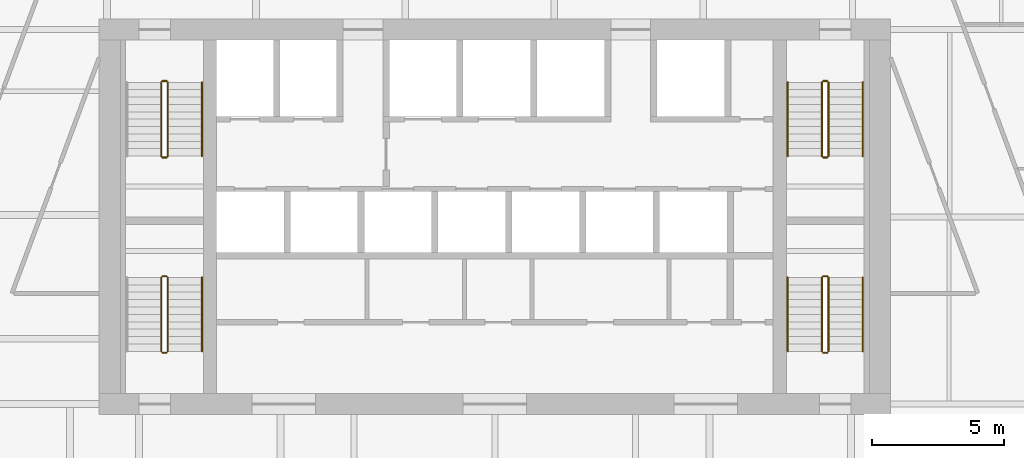
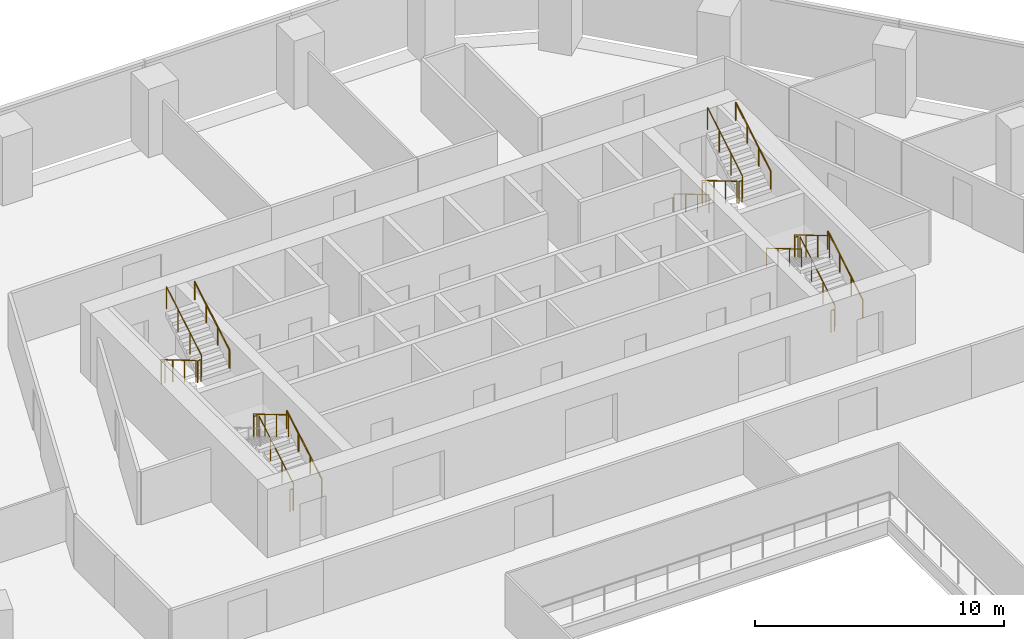
# One storey, part 16 of 17: 22 railings.
"""IFC4 building model written with IfcOpenShell, lengths in metres."""

from ifc_helpers import new_model, si_unit, direction, frame, origin, origin_2d, place, context, subcontext, project, spatial, circle, extrude, material, type_object, element, save


model = new_model("IFC4")

# Units and contexts
model_context = context("Model", 3, precision=1e-05, world=origin(), true_north=direction((0.0, 1.0)))
body_context = subcontext(model_context, "Body", "Model", "MODEL_VIEW")
ifc_project = project(units=[si_unit("LENGTHUNIT", "METRE"), si_unit("AREAUNIT", "SQUARE_METRE"), si_unit("VOLUMEUNIT", "CUBIC_METRE"), si_unit("PLANEANGLEUNIT", "RADIAN"), si_unit("MASSUNIT", "GRAM", prefix="KILO")], contexts=[model_context])

# Site, building, storey
site_placement = place(None, origin())
site = spatial("IfcSite", under=ifc_project, at=site_placement, CompositionType="ELEMENT")
building_placement = place(site_placement, origin())
building = spatial("IfcBuilding", under=site, at=building_placement, Name="Isthmus Gate Tower", CompositionType="ELEMENT")
storey_placement = place(building_placement, frame((0.0, 0.0, 162.64990234375)))
storey = spatial("IfcBuildingStorey", under=building, at=storey_placement, Name="L40", CompositionType="ELEMENT", Elevation=162.64990234375)

# Railings
ifc_material_1 = material(Name="Stainless steel balustrade", Category="steel")
railing_type_1 = type_object("IfcRailingType", Name="STAIR GUARD 1100", PredefinedType="GUARDRAIL", material=ifc_material_1)
railing_1_placement = place(storey_placement, frame((-12.64990234375, 12.60009765625, 0.166015625)))
element("IfcRailing", 1, at=railing_1_placement, inside=storey, type_object=railing_type_1, Name="L40 ST1 stair guard 1", PredefinedType="GUARDRAIL", context=body_context, shape_type="SweptSolid", body=[
    extrude(circle(Radius=0.02392578125, at=origin_2d()), frame((0.0, 0.0, 1.076171875), z_axis=(0.0, -0.860306154799, 0.50977771628), x_axis=(1.0, 0.0, 0.0)), (0.0, 0.0, 1.0), 3.254638671875),
    extrude(circle(Radius=0.02099609375, at=origin_2d()), origin(), (0.0, 0.0, 1.0), 1.052001953125),
    extrude(circle(Radius=0.02099609375, at=origin_2d()), frame((0.0, -0.933349609375, 0.552978515625)), (0.0, 0.0, 1.0), 1.052001953125),
    extrude(circle(Radius=0.02099609375, at=origin_2d()), frame((0.0, -1.86669921875, 1.106201171875)), (0.0, 0.0, 1.0), 1.052001953125),
    extrude(circle(Radius=0.02099609375, at=origin_2d()), frame((0.0, -2.800048828125, 1.6591796875)), (0.0, 0.0, 1.0), 1.052001953125),
])
railing_2_placement = place(storey_placement, frame((-12.60009765625, 9.75, 1.8251953125)))
element("IfcRailing", 2, at=railing_2_placement, inside=storey, type_object=railing_type_1, Name="L40 ST1 stair guard 2", PredefinedType="GUARDRAIL", context=body_context, shape_type="SweptSolid", body=[
    extrude(circle(Radius=0.02392578125, at=origin_2d()), frame((0.0, 0.0, 1.076171875), z_axis=(1.0, 0.0, 0.0), x_axis=(0.0, 1.0, 0.0)), (0.0, 0.0, 1.0), 0.150146484375),
    extrude(circle(Radius=0.02099609375, at=origin_2d()), origin(), (0.0, 0.0, 1.0), 1.052001953125),
    extrude(circle(Radius=0.02099609375, at=origin_2d()), frame((0.150146484375, 0.0, 0.0)), (0.0, 0.0, 1.0), 1.052001953125),
])
railing_3_placement = place(storey_placement, frame((-12.39990234375, 9.800048828125, 1.990966796875)))
element("IfcRailing", 3, at=railing_3_placement, inside=storey, type_object=railing_type_1, Name="L40 ST1 stair guard 3", PredefinedType="GUARDRAIL", context=body_context, shape_type="SweptSolid", body=[
    extrude(circle(Radius=0.02392578125, at=origin_2d()), frame((0.0, 0.0, 1.076171875), z_axis=(0.0, 0.860306154799, 0.50977771628), x_axis=(-1.0, 0.0, 0.0)), (0.0, 0.0, 1.0), 3.254638671875),
    extrude(circle(Radius=0.02099609375, at=origin_2d()), origin(), (0.0, 0.0, 1.0), 1.052001953125),
    extrude(circle(Radius=0.02099609375, at=origin_2d()), frame((0.0, 0.933349609375, 0.552978515625)), (0.0, 0.0, 1.0), 1.052001953125),
    extrude(circle(Radius=0.02099609375, at=origin_2d()), frame((0.0, 1.86669921875, 1.106201171875)), (0.0, 0.0, 1.0), 1.052001953125),
    extrude(circle(Radius=0.02099609375, at=origin_2d()), frame((0.0, 2.800048828125, 1.6591796875)), (0.0, 0.0, 1.0), 1.052001953125),
])
railing_4_placement = place(storey_placement, frame((-12.60009765625, 12.64990234375, 0.0)))
element("IfcRailing", 4, at=railing_4_placement, inside=storey, type_object=railing_type_1, Name="L40 ST1 stair guard 4", PredefinedType="GUARDRAIL", context=body_context, shape_type="SweptSolid", body=[
    extrude(circle(Radius=0.02392578125, at=origin_2d()), frame((0.0, 0.0, 1.076171875), z_axis=(1.0, 0.0, 0.0), x_axis=(0.0, 1.0, 0.0)), (0.0, 0.0, 1.0), 0.150146484375),
    extrude(circle(Radius=0.02099609375, at=origin_2d()), origin(), (0.0, 0.0, 1.0), 1.052001953125),
    extrude(circle(Radius=0.02099609375, at=origin_2d()), frame((0.150146484375, 0.0, 0.0)), (0.0, 0.0, 1.0), 1.052001953125),
])
railing_5_placement = place(storey_placement, frame((12.39990234375, 12.60009765625, 0.166015625)))
element("IfcRailing", 5, at=railing_5_placement, inside=storey, type_object=railing_type_1, Name="L40 ST2 stair guard 1", PredefinedType="GUARDRAIL", context=body_context, shape_type="SweptSolid", body=[
    extrude(circle(Radius=0.02392578125, at=origin_2d()), frame((0.0, 0.0, 1.076171875), z_axis=(0.0, -0.860306154799, 0.50977771628), x_axis=(1.0, 0.0, 0.0)), (0.0, 0.0, 1.0), 3.254638671875),
    extrude(circle(Radius=0.02099609375, at=origin_2d()), origin(), (0.0, 0.0, 1.0), 1.052001953125),
    extrude(circle(Radius=0.02099609375, at=origin_2d()), frame((0.0, -0.933349609375, 0.552978515625)), (0.0, 0.0, 1.0), 1.052001953125),
    extrude(circle(Radius=0.02099609375, at=origin_2d()), frame((0.0, -1.86669921875, 1.106201171875)), (0.0, 0.0, 1.0), 1.052001953125),
    extrude(circle(Radius=0.02099609375, at=origin_2d()), frame((0.0, -2.800048828125, 1.6591796875)), (0.0, 0.0, 1.0), 1.052001953125),
])
railing_6_placement = place(storey_placement, frame((12.449951171875, 9.75, 1.8251953125)))
element("IfcRailing", 6, at=railing_6_placement, inside=storey, type_object=railing_type_1, Name="L40 ST2 stair guard 2", PredefinedType="GUARDRAIL", context=body_context, shape_type="SweptSolid", body=[
    extrude(circle(Radius=0.02392578125, at=origin_2d()), frame((0.0, 0.0, 1.076171875), z_axis=(1.0, 0.0, 0.0), x_axis=(0.0, 1.0, 0.0)), (0.0, 0.0, 1.0), 0.150146484375),
    extrude(circle(Radius=0.02099609375, at=origin_2d()), origin(), (0.0, 0.0, 1.0), 1.052001953125),
    extrude(circle(Radius=0.02099609375, at=origin_2d()), frame((0.150146484375, 0.0, 0.0)), (0.0, 0.0, 1.0), 1.052001953125),
])
railing_7_placement = place(storey_placement, frame((12.64990234375, 9.800048828125, 1.990966796875)))
element("IfcRailing", 7, at=railing_7_placement, inside=storey, type_object=railing_type_1, Name="L40 ST2 stair guard 3", PredefinedType="GUARDRAIL", context=body_context, shape_type="SweptSolid", body=[
    extrude(circle(Radius=0.02392578125, at=origin_2d()), frame((0.0, 0.0, 1.076171875), z_axis=(0.0, 0.860306154799, 0.50977771628), x_axis=(-1.0, 0.0, 0.0)), (0.0, 0.0, 1.0), 3.254638671875),
    extrude(circle(Radius=0.02099609375, at=origin_2d()), origin(), (0.0, 0.0, 1.0), 1.052001953125),
    extrude(circle(Radius=0.02099609375, at=origin_2d()), frame((0.0, 0.933349609375, 0.552978515625)), (0.0, 0.0, 1.0), 1.052001953125),
    extrude(circle(Radius=0.02099609375, at=origin_2d()), frame((0.0, 1.86669921875, 1.106201171875)), (0.0, 0.0, 1.0), 1.052001953125),
    extrude(circle(Radius=0.02099609375, at=origin_2d()), frame((0.0, 2.800048828125, 1.6591796875)), (0.0, 0.0, 1.0), 1.052001953125),
])
railing_8_placement = place(storey_placement, frame((12.449951171875, 12.64990234375, 0.0)))
element("IfcRailing", 8, at=railing_8_placement, inside=storey, type_object=railing_type_1, Name="L40 ST2 stair guard 4", PredefinedType="GUARDRAIL", context=body_context, shape_type="SweptSolid", body=[
    extrude(circle(Radius=0.02392578125, at=origin_2d()), frame((0.0, 0.0, 1.076171875), z_axis=(1.0, 0.0, 0.0), x_axis=(0.0, 1.0, 0.0)), (0.0, 0.0, 1.0), 0.150146484375),
    extrude(circle(Radius=0.02099609375, at=origin_2d()), origin(), (0.0, 0.0, 1.0), 1.052001953125),
    extrude(circle(Radius=0.02099609375, at=origin_2d()), frame((0.150146484375, 0.0, 0.0)), (0.0, 0.0, 1.0), 1.052001953125),
])
railing_9_placement = place(storey_placement, frame((-12.39990234375, 2.39990234375, 0.166015625)))
element("IfcRailing", 9, at=railing_9_placement, inside=storey, type_object=railing_type_1, Name="L40 ST7 stair guard 1", PredefinedType="GUARDRAIL", context=body_context, shape_type="SweptSolid", body=[
    extrude(circle(Radius=0.02392578125, at=origin_2d()), frame((0.0, 0.0, 1.076171875), z_axis=(0.0, 0.860306154799, 0.50977771628), x_axis=(-1.0, 0.0, 0.0)), (0.0, 0.0, 1.0), 3.254638671875),
    extrude(circle(Radius=0.02099609375, at=origin_2d()), origin(), (0.0, 0.0, 1.0), 1.052001953125),
    extrude(circle(Radius=0.02099609375, at=origin_2d()), frame((0.0, 0.933349609375, 0.552978515625)), (0.0, 0.0, 1.0), 1.052001953125),
    extrude(circle(Radius=0.02099609375, at=origin_2d()), frame((0.0, 1.86669921875, 1.106201171875)), (0.0, 0.0, 1.0), 1.052001953125),
    extrude(circle(Radius=0.02099609375, at=origin_2d()), frame((0.0, 2.800048828125, 1.6591796875)), (0.0, 0.0, 1.0), 1.052001953125),
])
railing_10_placement = place(storey_placement, frame((-12.449951171875, 5.25, 1.8251953125)))
element("IfcRailing", 10, at=railing_10_placement, inside=storey, type_object=railing_type_1, Name="L40 ST7 stair guard 2", PredefinedType="GUARDRAIL", context=body_context, shape_type="SweptSolid", body=[
    extrude(circle(Radius=0.02392578125, at=origin_2d()), frame((0.0, 0.0, 1.076171875), z_axis=(-1.0, 0.0, 0.0), x_axis=(0.0, -1.0, 0.0)), (0.0, 0.0, 1.0), 0.150146484375),
    extrude(circle(Radius=0.02099609375, at=origin_2d()), origin(), (0.0, 0.0, 1.0), 1.052001953125),
    extrude(circle(Radius=0.02099609375, at=origin_2d()), frame((-0.150146484375, 0.0, 0.0)), (0.0, 0.0, 1.0), 1.052001953125),
])
railing_11_placement = place(storey_placement, frame((-12.64990234375, 5.199951171875, 1.990966796875)))
element("IfcRailing", 11, at=railing_11_placement, inside=storey, type_object=railing_type_1, Name="L40 ST7 stair guard 3", PredefinedType="GUARDRAIL", context=body_context, shape_type="SweptSolid", body=[
    extrude(circle(Radius=0.02392578125, at=origin_2d()), frame((0.0, 0.0, 1.076171875), z_axis=(0.0, -0.860306154799, 0.50977771628), x_axis=(1.0, 0.0, 0.0)), (0.0, 0.0, 1.0), 3.254638671875),
    extrude(circle(Radius=0.02099609375, at=origin_2d()), origin(), (0.0, 0.0, 1.0), 1.052001953125),
    extrude(circle(Radius=0.02099609375, at=origin_2d()), frame((0.0, -0.933349609375, 0.552978515625)), (0.0, 0.0, 1.0), 1.052001953125),
    extrude(circle(Radius=0.02099609375, at=origin_2d()), frame((0.0, -1.86669921875, 1.106201171875)), (0.0, 0.0, 1.0), 1.052001953125),
    extrude(circle(Radius=0.02099609375, at=origin_2d()), frame((0.0, -2.800048828125, 1.6591796875)), (0.0, 0.0, 1.0), 1.052001953125),
])
railing_12_placement = place(storey_placement, frame((-12.449951171875, 2.35009765625, 0.0)))
element("IfcRailing", 12, at=railing_12_placement, inside=storey, type_object=railing_type_1, Name="L40 ST7 stair guard 4", PredefinedType="GUARDRAIL", context=body_context, shape_type="SweptSolid", body=[
    extrude(circle(Radius=0.02392578125, at=origin_2d()), frame((0.0, 0.0, 1.076171875), z_axis=(-1.0, 0.0, 0.0), x_axis=(0.0, -1.0, 0.0)), (0.0, 0.0, 1.0), 0.150146484375),
    extrude(circle(Radius=0.02099609375, at=origin_2d()), origin(), (0.0, 0.0, 1.0), 1.052001953125),
    extrude(circle(Radius=0.02099609375, at=origin_2d()), frame((-0.150146484375, 0.0, 0.0)), (0.0, 0.0, 1.0), 1.052001953125),
])
railing_13_placement = place(storey_placement, frame((12.64990234375, 2.39990234375, 0.166015625)))
element("IfcRailing", 13, at=railing_13_placement, inside=storey, type_object=railing_type_1, Name="L40 ST8 stair guard 1", PredefinedType="GUARDRAIL", context=body_context, shape_type="SweptSolid", body=[
    extrude(circle(Radius=0.02392578125, at=origin_2d()), frame((0.0, 0.0, 1.076171875), z_axis=(0.0, 0.860306154799, 0.50977771628), x_axis=(-1.0, 0.0, 0.0)), (0.0, 0.0, 1.0), 3.254638671875),
    extrude(circle(Radius=0.02099609375, at=origin_2d()), origin(), (0.0, 0.0, 1.0), 1.052001953125),
    extrude(circle(Radius=0.02099609375, at=origin_2d()), frame((0.0, 0.933349609375, 0.552978515625)), (0.0, 0.0, 1.0), 1.052001953125),
    extrude(circle(Radius=0.02099609375, at=origin_2d()), frame((0.0, 1.86669921875, 1.106201171875)), (0.0, 0.0, 1.0), 1.052001953125),
    extrude(circle(Radius=0.02099609375, at=origin_2d()), frame((0.0, 2.800048828125, 1.6591796875)), (0.0, 0.0, 1.0), 1.052001953125),
])
railing_14_placement = place(storey_placement, frame((12.60009765625, 5.25, 1.8251953125)))
element("IfcRailing", 14, at=railing_14_placement, inside=storey, type_object=railing_type_1, Name="L40 ST8 stair guard 2", PredefinedType="GUARDRAIL", context=body_context, shape_type="SweptSolid", body=[
    extrude(circle(Radius=0.02392578125, at=origin_2d()), frame((0.0, 0.0, 1.076171875), z_axis=(-1.0, 0.0, 0.0), x_axis=(0.0, -1.0, 0.0)), (0.0, 0.0, 1.0), 0.150146484375),
    extrude(circle(Radius=0.02099609375, at=origin_2d()), origin(), (0.0, 0.0, 1.0), 1.052001953125),
    extrude(circle(Radius=0.02099609375, at=origin_2d()), frame((-0.150146484375, 0.0, 0.0)), (0.0, 0.0, 1.0), 1.052001953125),
])
railing_15_placement = place(storey_placement, frame((12.39990234375, 5.199951171875, 1.990966796875)))
element("IfcRailing", 15, at=railing_15_placement, inside=storey, type_object=railing_type_1, Name="L40 ST8 stair guard 3", PredefinedType="GUARDRAIL", context=body_context, shape_type="SweptSolid", body=[
    extrude(circle(Radius=0.02392578125, at=origin_2d()), frame((0.0, 0.0, 1.076171875), z_axis=(0.0, -0.860306154799, 0.50977771628), x_axis=(1.0, 0.0, 0.0)), (0.0, 0.0, 1.0), 3.254638671875),
    extrude(circle(Radius=0.02099609375, at=origin_2d()), origin(), (0.0, 0.0, 1.0), 1.052001953125),
    extrude(circle(Radius=0.02099609375, at=origin_2d()), frame((0.0, -0.933349609375, 0.552978515625)), (0.0, 0.0, 1.0), 1.052001953125),
    extrude(circle(Radius=0.02099609375, at=origin_2d()), frame((0.0, -1.86669921875, 1.106201171875)), (0.0, 0.0, 1.0), 1.052001953125),
    extrude(circle(Radius=0.02099609375, at=origin_2d()), frame((0.0, -2.800048828125, 1.6591796875)), (0.0, 0.0, 1.0), 1.052001953125),
])
railing_16_placement = place(storey_placement, frame((12.60009765625, 2.35009765625, 0.0)))
element("IfcRailing", 16, at=railing_16_placement, inside=storey, type_object=railing_type_1, Name="L40 ST8 stair guard 4", PredefinedType="GUARDRAIL", context=body_context, shape_type="SweptSolid", body=[
    extrude(circle(Radius=0.02392578125, at=origin_2d()), frame((0.0, 0.0, 1.076171875), z_axis=(-1.0, 0.0, 0.0), x_axis=(0.0, -1.0, 0.0)), (0.0, 0.0, 1.0), 0.150146484375),
    extrude(circle(Radius=0.02099609375, at=origin_2d()), origin(), (0.0, 0.0, 1.0), 1.052001953125),
    extrude(circle(Radius=0.02099609375, at=origin_2d()), frame((-0.150146484375, 0.0, 0.0)), (0.0, 0.0, 1.0), 1.052001953125),
])
ifc_material_2 = material(Name="Stainless steel handrail", Category="steel")
railing_type_2 = type_object("IfcRailingType", Name="STAIR HANDRAIL 900", PredefinedType="HANDRAIL", material=ifc_material_2)
railing_17_placement = place(storey_placement, frame((-11.10009765625, 9.800048828125, 1.990966796875)))
element("IfcRailing", 17, at=railing_17_placement, inside=storey, type_object=railing_type_2, Name="L40 ST1 stair handrail 2", PredefinedType="HANDRAIL", context=body_context, shape_type="SweptSolid", body=[
    extrude(circle(Radius=0.02392578125, at=origin_2d()), frame((0.0, 0.0, 0.8759765625), z_axis=(0.0, 0.860306154799, 0.50977771628), x_axis=(-1.0, 0.0, 0.0)), (0.0, 0.0, 1.0), 3.254638671875),
    extrude(circle(Radius=0.02099609375, at=origin_2d()), origin(), (0.0, 0.0, 1.0), 0.851806640625),
    extrude(circle(Radius=0.02099609375, at=origin_2d()), frame((0.0, 0.933349609375, 0.552978515625)), (0.0, 0.0, 1.0), 0.851806640625),
    extrude(circle(Radius=0.02099609375, at=origin_2d()), frame((0.0, 1.86669921875, 1.106201171875)), (0.0, 0.0, 1.0), 0.851806640625),
    extrude(circle(Radius=0.02099609375, at=origin_2d()), frame((0.0, 2.800048828125, 1.6591796875)), (0.0, 0.0, 1.0), 0.851806640625),
])
railing_18_placement = place(storey_placement, frame((11.10009765625, 12.60009765625, 0.166015625)))
element("IfcRailing", 18, at=railing_18_placement, inside=storey, type_object=railing_type_2, Name="L40 ST2 stair handrail 1", PredefinedType="HANDRAIL", context=body_context, shape_type="SweptSolid", body=[
    extrude(circle(Radius=0.02392578125, at=origin_2d()), frame((0.0, 0.0, 0.8759765625), z_axis=(0.0, -0.860306154799, 0.50977771628), x_axis=(1.0, 0.0, 0.0)), (0.0, 0.0, 1.0), 3.254638671875),
    extrude(circle(Radius=0.02099609375, at=origin_2d()), origin(), (0.0, 0.0, 1.0), 0.851806640625),
    extrude(circle(Radius=0.02099609375, at=origin_2d()), frame((0.0, -0.933349609375, 0.552978515625)), (0.0, 0.0, 1.0), 0.851806640625),
    extrude(circle(Radius=0.02099609375, at=origin_2d()), frame((0.0, -1.86669921875, 1.106201171875)), (0.0, 0.0, 1.0), 0.851806640625),
    extrude(circle(Radius=0.02099609375, at=origin_2d()), frame((0.0, -2.800048828125, 1.6591796875)), (0.0, 0.0, 1.0), 0.851806640625),
])
for number, where, name in (
    (19, (13.949951171875, 9.800048828125, 1.990966796875), "L40 ST2 stair handrail 2"),
    (20, (-11.10009765625, 2.39990234375, 0.166015625), "L40 ST7 stair handrail 1"),
    (21, (13.949951171875, 2.39990234375, 0.166015625), "L40 ST8 stair handrail 1"),
):
    element("IfcRailing", number, at=place(storey_placement, frame(where)), inside=storey, type_object=railing_type_2, Name=name, PredefinedType="HANDRAIL", context=body_context, shape_type="SweptSolid", body=[
        extrude(circle(Radius=0.02392578125, at=origin_2d()), frame((0.0, 0.0, 0.8759765625), z_axis=(0.0, 0.860306154799, 0.50977771628), x_axis=(-1.0, 0.0, 0.0)), (0.0, 0.0, 1.0), 3.254638671875),
        extrude(circle(Radius=0.02099609375, at=origin_2d()), origin(), (0.0, 0.0, 1.0), 0.851806640625),
        extrude(circle(Radius=0.02099609375, at=origin_2d()), frame((0.0, 0.933349609375, 0.552978515625)), (0.0, 0.0, 1.0), 0.851806640625),
        extrude(circle(Radius=0.02099609375, at=origin_2d()), frame((0.0, 1.86669921875, 1.106201171875)), (0.0, 0.0, 1.0), 0.851806640625),
        extrude(circle(Radius=0.02099609375, at=origin_2d()), frame((0.0, 2.800048828125, 1.6591796875)), (0.0, 0.0, 1.0), 0.851806640625),
    ])
railing_19_placement = place(storey_placement, frame((11.10009765625, 5.199951171875, 1.990966796875)))
element("IfcRailing", 22, at=railing_19_placement, inside=storey, type_object=railing_type_2, Name="L40 ST8 stair handrail 2", PredefinedType="HANDRAIL", context=body_context, shape_type="SweptSolid", body=[
    extrude(circle(Radius=0.02392578125, at=origin_2d()), frame((0.0, 0.0, 0.8759765625), z_axis=(0.0, -0.860306154799, 0.50977771628), x_axis=(1.0, 0.0, 0.0)), (0.0, 0.0, 1.0), 3.254638671875),
    extrude(circle(Radius=0.02099609375, at=origin_2d()), origin(), (0.0, 0.0, 1.0), 0.851806640625),
    extrude(circle(Radius=0.02099609375, at=origin_2d()), frame((0.0, -0.933349609375, 0.552978515625)), (0.0, 0.0, 1.0), 0.851806640625),
    extrude(circle(Radius=0.02099609375, at=origin_2d()), frame((0.0, -1.86669921875, 1.106201171875)), (0.0, 0.0, 1.0), 0.851806640625),
    extrude(circle(Radius=0.02099609375, at=origin_2d()), frame((0.0, -2.800048828125, 1.6591796875)), (0.0, 0.0, 1.0), 0.851806640625),
])

save(model, "model.ifc")
